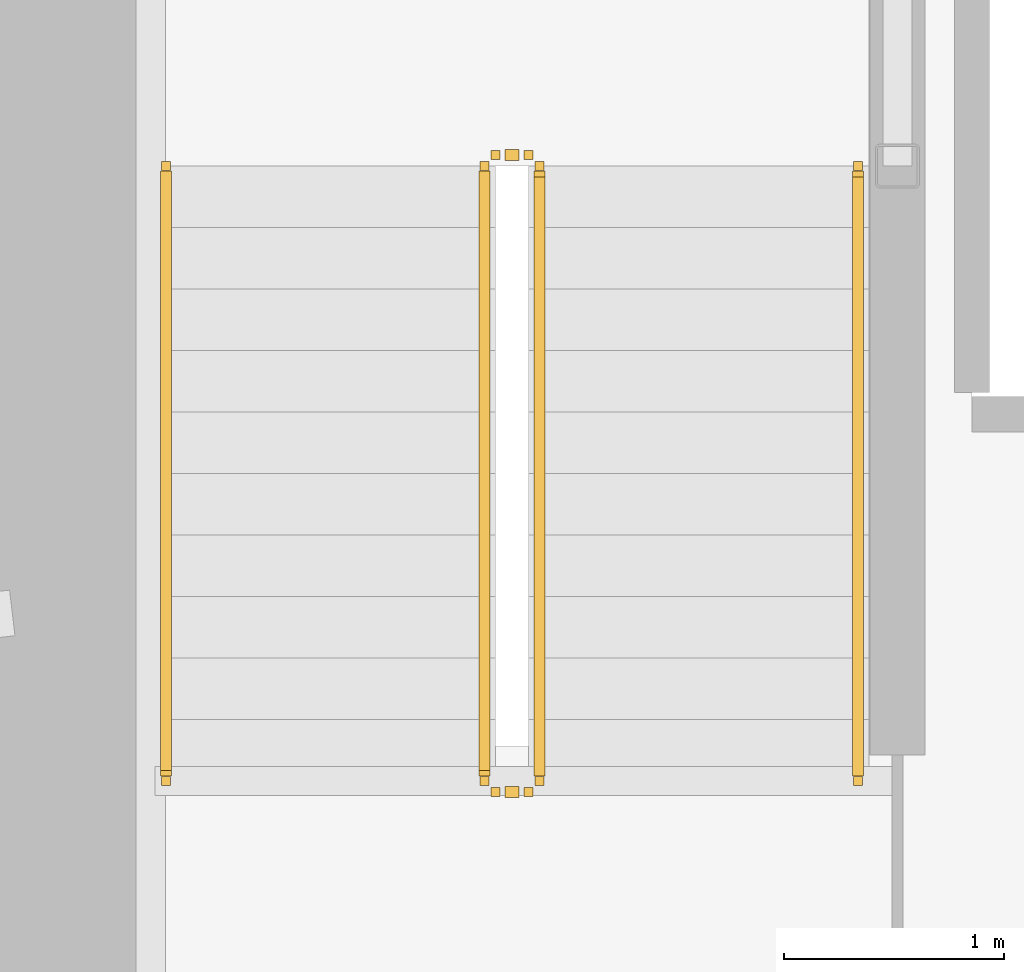
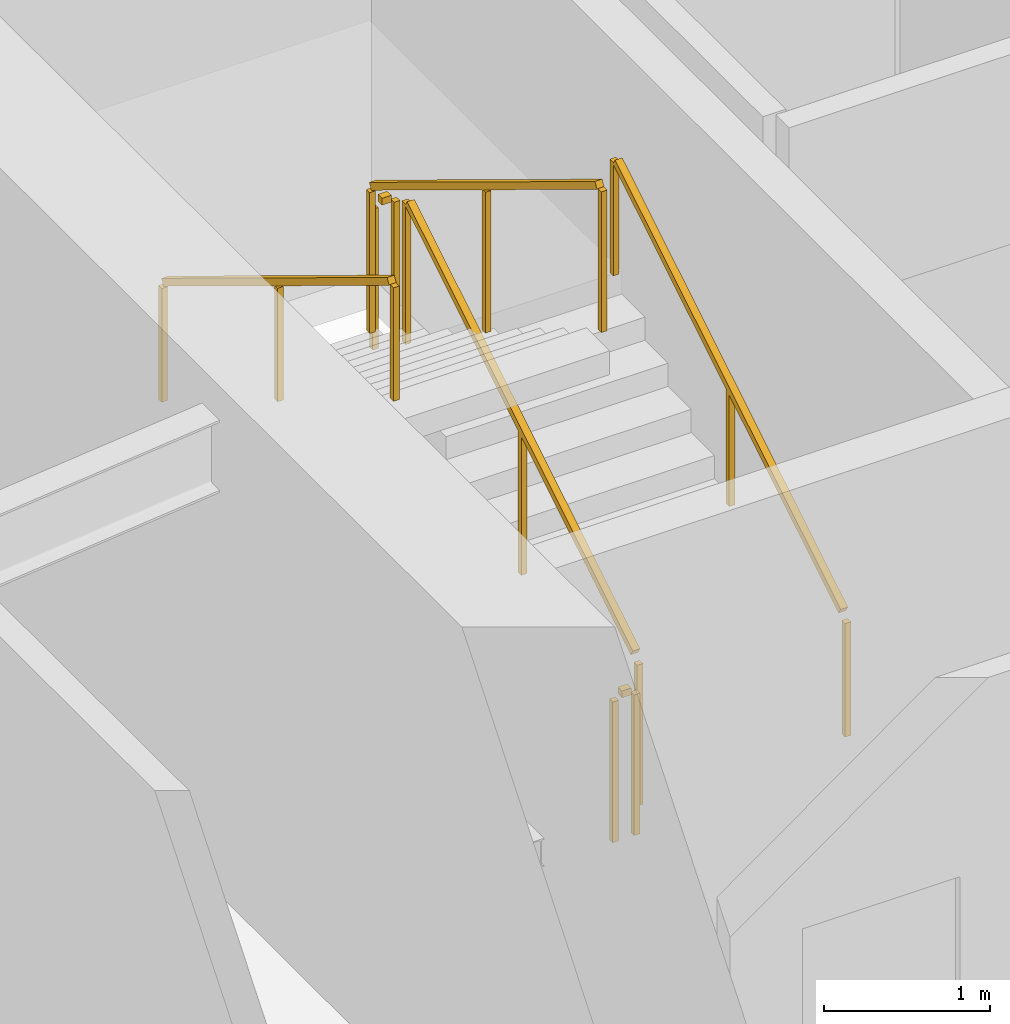
# One storey, part 18 of 23: 6 railings.
"""IFC4 building model written with IfcOpenShell, lengths in metres."""

from ifc_helpers import new_model, si_unit, direction, frame, origin, origin_2d, place, context, subcontext, project, spatial, rectangle, extrude, material, type_object, element, save


model = new_model("IFC4")

# Units and contexts
model_context = context("Model", 3, precision=1e-05, world=origin(), true_north=direction((0.0, 1.0)))
body_context = subcontext(model_context, "Body", "Model", "MODEL_VIEW")
ifc_project = project(units=[si_unit("LENGTHUNIT", "METRE"), si_unit("AREAUNIT", "SQUARE_METRE"), si_unit("VOLUMEUNIT", "CUBIC_METRE"), si_unit("PLANEANGLEUNIT", "RADIAN"), si_unit("MASSUNIT", "GRAM", prefix="KILO")], contexts=[model_context])

# Site, building, storey
site_placement = place(None, origin())
site = spatial("IfcSite", under=ifc_project, at=site_placement, CompositionType="ELEMENT")
building_placement = place(site_placement, origin())
building = spatial("IfcBuilding", under=site, at=building_placement, Name="Kazma Halo Residences", CompositionType="ELEMENT")
storey_placement = place(building_placement, frame((0.0, 0.0, 108.89990234375)))
storey = spatial("IfcBuildingStorey", under=building, at=storey_placement, Name="L27", CompositionType="ELEMENT", Elevation=108.89990234375)

# Railings
ifc_material_1 = material(Name="Painted Steel S355", Category="steel")
railing_type_1 = type_object("IfcRailingType", Name="RLG-STAIR-GRD-1100", PredefinedType="GUARDRAIL", material=ifc_material_1)
railing_1_placement = place(storey_placement, frame((39.550048828125, 39.949951171875, 0.170654296875)))
element("IfcRailing", 1, at=railing_1_placement, inside=storey, type_object=railing_type_1, Name="L27 ST-01 stair guard 1", PredefinedType="GUARDRAIL", context=body_context, shape_type="SweptSolid", body=[
    extrude(rectangle(XDim=0.050048828125, YDim=0.050048828125, at=origin_2d()), frame((0.0, 0.036376953125, 1.09716796875), z_axis=(0.0, 0.854202870247, 0.519939858505), x_axis=(-1.0, 0.0, 0.0)), (0.0, 0.0, 1.0), 3.19287109375),
    extrude(rectangle(XDim=0.0400390625, YDim=0.0400390625, at=origin_2d()), origin(), (0.0, 0.0, 1.0), 1.0380859375),
    extrude(rectangle(XDim=0.0400390625, YDim=0.0400390625, at=origin_2d()), frame((0.0, 1.39990234375, 0.85205078125)), (0.0, 0.0, 1.0), 1.0380859375),
    extrude(rectangle(XDim=0.0400390625, YDim=0.0400390625, at=origin_2d()), frame((0.0, 2.800048828125, 1.704345703125)), (0.0, 0.0, 1.0), 1.0380859375),
])
railing_2_placement = place(storey_placement, frame((39.5, 42.800048828125, 1.875)))
element("IfcRailing", 2, at=railing_2_placement, inside=storey, type_object=railing_type_1, Name="L27 ST-01 stair guard 2", PredefinedType="GUARDRAIL", context=body_context, shape_type="SweptSolid", body=[
    extrude(rectangle(XDim=0.050048828125, YDim=0.050048828125, at=origin_2d()), frame((-0.04248046875, 0.0, 1.0751953125), z_axis=(-1.0, 0.0, 0.0), x_axis=(0.0, -1.0, 0.0)), (0.0, 0.0, 1.0), 0.06494140625),
    extrude(rectangle(XDim=0.0400390625, YDim=0.0400390625, at=origin_2d()), origin(), (0.0, 0.0, 1.0), 1.0380859375),
    extrude(rectangle(XDim=0.0400390625, YDim=0.0400390625, at=origin_2d()), frame((-0.14990234375, 0.0, 0.0)), (0.0, 0.0, 1.0), 1.0380859375),
])
railing_3_placement = place(storey_placement, frame((39.300048828125, 42.75, 2.045654296875)))
element("IfcRailing", 3, at=railing_3_placement, inside=storey, type_object=railing_type_1, Name="L27 ST-01 stair guard 3", PredefinedType="GUARDRAIL", context=body_context, shape_type="SweptSolid", body=[
    extrude(rectangle(XDim=0.050048828125, YDim=0.050048828125, at=origin_2d()), frame((0.0, -0.036376953125, 1.09716796875), z_axis=(0.0, -0.854202870247, 0.519939858505), x_axis=(1.0, 0.0, 0.0)), (0.0, 0.0, 1.0), 3.19287109375),
    extrude(rectangle(XDim=0.0400390625, YDim=0.0400390625, at=origin_2d()), origin(), (0.0, 0.0, 1.0), 1.0380859375),
    extrude(rectangle(XDim=0.0400390625, YDim=0.0400390625, at=origin_2d()), frame((0.0, -1.39990234375, 0.85205078125)), (0.0, 0.0, 1.0), 1.0380859375),
    extrude(rectangle(XDim=0.0400390625, YDim=0.0400390625, at=origin_2d()), frame((0.0, -2.800048828125, 1.704345703125)), (0.0, 0.0, 1.0), 1.0380859375),
])
railing_4_placement = place(storey_placement, frame((39.5, 39.89990234375, 0.0)))
element("IfcRailing", 4, at=railing_4_placement, inside=storey, type_object=railing_type_1, Name="L27 ST-01 stair guard 4", PredefinedType="GUARDRAIL", context=body_context, shape_type="SweptSolid", body=[
    extrude(rectangle(XDim=0.050048828125, YDim=0.050048828125, at=origin_2d()), frame((-0.04248046875, 0.0, 1.0751953125), z_axis=(-1.0, 0.0, 0.0), x_axis=(0.0, -1.0, 0.0)), (0.0, 0.0, 1.0), 0.06494140625),
    extrude(rectangle(XDim=0.0400390625, YDim=0.0400390625, at=origin_2d()), origin(), (0.0, 0.0, 1.0), 1.0380859375),
    extrude(rectangle(XDim=0.0400390625, YDim=0.0400390625, at=origin_2d()), frame((-0.14990234375, 0.0, 0.0)), (0.0, 0.0, 1.0), 1.0380859375),
])
ifc_material_2 = material(Name="Brushed Stainless Steel", Category="steel")
railing_type_2 = type_object("IfcRailingType", Name="RLG-STAIR-HND-900", PredefinedType="HANDRAIL", material=ifc_material_2)
railing_5_placement = place(storey_placement, frame((41.0, 39.949951171875, 0.170654296875)))
element("IfcRailing", 5, at=railing_5_placement, inside=storey, type_object=railing_type_2, Name="L27 ST-01 stair handrail 1", PredefinedType="HANDRAIL", context=body_context, shape_type="SweptSolid", body=[
    extrude(rectangle(XDim=0.050048828125, YDim=0.050048828125, at=origin_2d()), frame((0.0, 0.036376953125, 0.89697265625), z_axis=(0.0, 0.854202870247, 0.519939858505), x_axis=(-1.0, 0.0, 0.0)), (0.0, 0.0, 1.0), 3.19287109375),
    extrude(rectangle(XDim=0.0400390625, YDim=0.0400390625, at=origin_2d()), origin(), (0.0, 0.0, 1.0), 0.837890625),
    extrude(rectangle(XDim=0.0400390625, YDim=0.0400390625, at=origin_2d()), frame((0.0, 1.39990234375, 0.85205078125)), (0.0, 0.0, 1.0), 0.837890625),
    extrude(rectangle(XDim=0.0400390625, YDim=0.0400390625, at=origin_2d()), frame((0.0, 2.800048828125, 1.704345703125)), (0.0, 0.0, 1.0), 0.837890625),
])
railing_6_placement = place(storey_placement, frame((37.85009765625, 42.75, 2.045654296875)))
element("IfcRailing", 6, at=railing_6_placement, inside=storey, type_object=railing_type_2, Name="L27 ST-01 stair handrail 2", PredefinedType="HANDRAIL", context=body_context, shape_type="SweptSolid", body=[
    extrude(rectangle(XDim=0.050048828125, YDim=0.050048828125, at=origin_2d()), frame((0.0, -0.036376953125, 0.89697265625), z_axis=(0.0, -0.854202870247, 0.519939858505), x_axis=(1.0, 0.0, 0.0)), (0.0, 0.0, 1.0), 3.19287109375),
    extrude(rectangle(XDim=0.0400390625, YDim=0.0400390625, at=origin_2d()), origin(), (0.0, 0.0, 1.0), 0.837890625),
    extrude(rectangle(XDim=0.0400390625, YDim=0.0400390625, at=origin_2d()), frame((0.0, -1.39990234375, 0.85205078125)), (0.0, 0.0, 1.0), 0.837890625),
    extrude(rectangle(XDim=0.0400390625, YDim=0.0400390625, at=origin_2d()), frame((0.0, -2.800048828125, 1.704345703125)), (0.0, 0.0, 1.0), 0.837890625),
])

save(model, "model.ifc")
